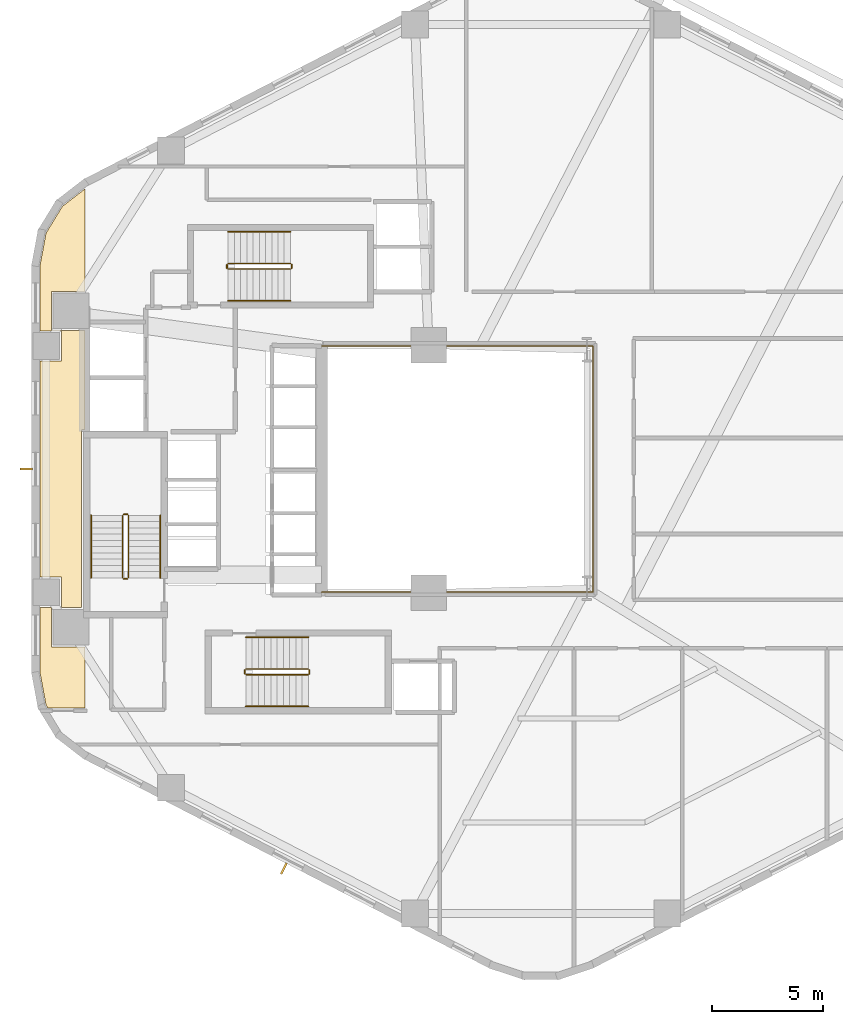
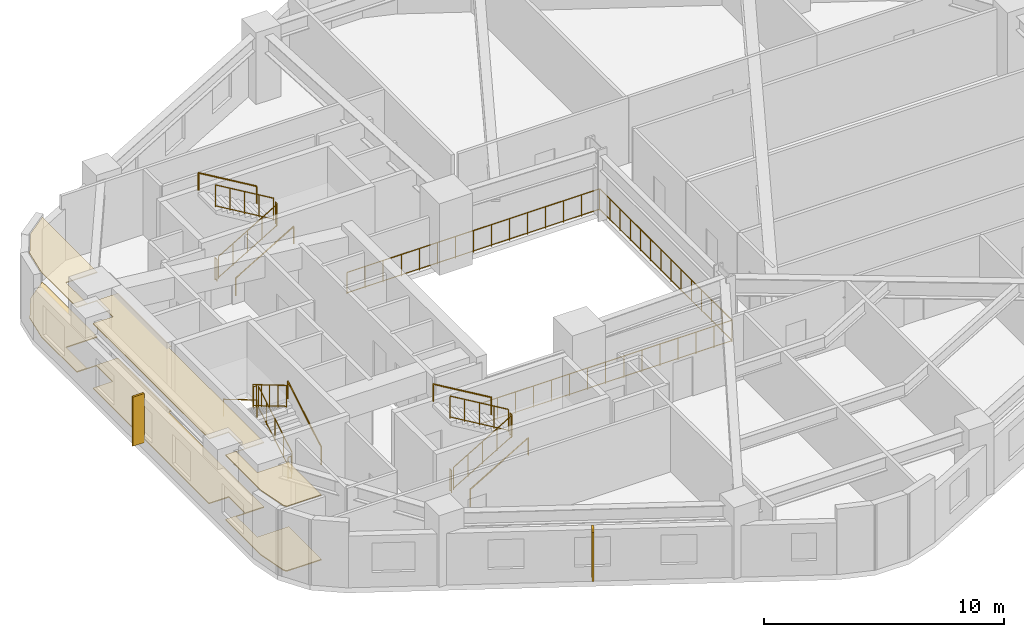
# One storey, part 6 of 6: 19 railings, 2 coverings, 2 shading devices.
"""IFC4 building model written with IfcOpenShell, lengths in metres."""

from ifc_helpers import new_model, si_unit, direction, frame, origin, origin_2d, place, context, subcontext, project, spatial, polyline, rectangle, circle, outline, extrude, material, layer, layer_set, type_object, element, save


model = new_model("IFC4")

# Units and contexts
model_context = context("Model", 3, precision=1e-05, world=origin(), true_north=direction((0.0, 1.0)))
body_context = subcontext(model_context, "Body", "Model", "MODEL_VIEW")
ifc_project = project(units=[si_unit("LENGTHUNIT", "METRE"), si_unit("AREAUNIT", "SQUARE_METRE"), si_unit("VOLUMEUNIT", "CUBIC_METRE"), si_unit("PLANEANGLEUNIT", "RADIAN"), si_unit("MASSUNIT", "GRAM", prefix="KILO"), si_unit("THERMODYNAMICTEMPERATUREUNIT", "KELVIN"), si_unit("POWERUNIT", "WATT")], contexts=[model_context])

# Site, building, storey
site_placement = place(None, origin())
site = spatial("IfcSite", under=ifc_project, at=site_placement, CompositionType="ELEMENT")
building_placement = place(site_placement, origin())
building = spatial("IfcBuilding", under=site, at=building_placement, Name="Skarre Station Tower", CompositionType="ELEMENT")
storey_placement = place(building_placement, frame((0.0, 0.0, 92.699951171875)))
storey = spatial("IfcBuildingStorey", under=building, at=storey_placement, Name="L24", CompositionType="ELEMENT", Elevation=92.699951171875)

# Railing
ifc_material_1 = material(Name="Bronze Anodized Steel & Laminated Glass Balustrade", Category="steel")
railing_type_1 = type_object("IfcRailingType", Name="Atrium Void & Mezzanine Guard Balustrade 1120", PredefinedType="GUARDRAIL", material=ifc_material_1)
railing_1_placement = place(storey_placement, frame((27.550048828125, 18.47998046875, 0.0)))
element("IfcRailing", 1, at=railing_1_placement, inside=storey, type_object=railing_type_1, Name="L24 Atrium Void Guard Balustrade", PredefinedType="GUARDRAIL", context=body_context, shape_type="SweptSolid", body=[
    extrude(circle(Radius=0.02392578125, at=origin_2d()), frame((0.0, 0.0, 1.09619140625), z_axis=(1.0, 0.0, 0.0), x_axis=(0.0, 1.0, 0.0)), (0.0, 0.0, 1.0), 12.169921875),
    extrude(circle(Radius=0.02099609375, at=origin_2d()), frame((0.0, 0.0, 0.06005859375), z_axis=(1.0, 0.0, 0.0), x_axis=(0.0, 1.0, 0.0)), (0.0, 0.0, 1.0), 12.169921875),
    extrude(circle(Radius=0.02392578125, at=origin_2d()), frame((12.169921875, 0.0, 1.09619140625), z_axis=(0.0, 1.0, 0.0), x_axis=(-1.0, 0.0, 0.0)), (0.0, 0.0, 1.0), 11.0400390625),
    extrude(circle(Radius=0.02099609375, at=origin_2d()), frame((12.169921875, 0.0, 0.06005859375), z_axis=(0.0, 1.0, 0.0), x_axis=(-1.0, 0.0, 0.0)), (0.0, 0.0, 1.0), 11.0400390625),
    extrude(circle(Radius=0.02392578125, at=origin_2d()), frame((12.169921875, 11.0400390625, 1.09619140625), z_axis=(-1.0, 0.0, 0.0), x_axis=(0.0, -1.0, 0.0)), (0.0, 0.0, 1.0), 12.169921875),
    extrude(circle(Radius=0.02099609375, at=origin_2d()), frame((12.169921875, 11.0400390625, 0.06005859375), z_axis=(-1.0, 0.0, 0.0), x_axis=(0.0, -1.0, 0.0)), (0.0, 0.0, 1.0), 12.169921875),
    extrude(circle(Radius=0.02099609375, at=origin_2d()), origin(), (0.0, 0.0, 1.0), 1.072021484375),
    extrude(circle(Radius=0.02099609375, at=origin_2d()), frame((0.869384765625, 0.0, 0.0)), (0.0, 0.0, 1.0), 1.072021484375),
    extrude(circle(Radius=0.02099609375, at=origin_2d()), frame((1.738525390625, 0.0, 0.0)), (0.0, 0.0, 1.0), 1.072021484375),
    extrude(circle(Radius=0.02099609375, at=origin_2d()), frame((2.60791015625, 0.0, 0.0)), (0.0, 0.0, 1.0), 1.072021484375),
    extrude(circle(Radius=0.02099609375, at=origin_2d()), frame((3.47705078125, 0.0, 0.0)), (0.0, 0.0, 1.0), 1.072021484375),
    extrude(circle(Radius=0.02099609375, at=origin_2d()), frame((4.346435546875, 0.0, 0.0)), (0.0, 0.0, 1.0), 1.072021484375),
    extrude(circle(Radius=0.02099609375, at=origin_2d()), frame((5.215576171875, 0.0, 0.0)), (0.0, 0.0, 1.0), 1.072021484375),
    extrude(circle(Radius=0.02099609375, at=origin_2d()), frame((6.0849609375, 0.0, 0.0)), (0.0, 0.0, 1.0), 1.072021484375),
    extrude(circle(Radius=0.02099609375, at=origin_2d()), frame((6.954345703125, 0.0, 0.0)), (0.0, 0.0, 1.0), 1.072021484375),
    extrude(circle(Radius=0.02099609375, at=origin_2d()), frame((7.823486328125, 0.0, 0.0)), (0.0, 0.0, 1.0), 1.072021484375),
    extrude(circle(Radius=0.02099609375, at=origin_2d()), frame((8.69287109375, 0.0, 0.0)), (0.0, 0.0, 1.0), 1.072021484375),
    extrude(circle(Radius=0.02099609375, at=origin_2d()), frame((9.56201171875, 0.0, 0.0)), (0.0, 0.0, 1.0), 1.072021484375),
    extrude(circle(Radius=0.02099609375, at=origin_2d()), frame((10.431396484375, 0.0, 0.0)), (0.0, 0.0, 1.0), 1.072021484375),
    extrude(circle(Radius=0.02099609375, at=origin_2d()), frame((11.300537109375, 0.0, 0.0)), (0.0, 0.0, 1.0), 1.072021484375),
    extrude(circle(Radius=0.02099609375, at=origin_2d()), frame((12.169921875, 0.0, 0.0)), (0.0, 0.0, 1.0), 1.072021484375),
    extrude(circle(Radius=0.02099609375, at=origin_2d()), frame((12.169921875, 0.84912109375, 0.0)), (0.0, 0.0, 1.0), 1.072021484375),
    extrude(circle(Radius=0.02099609375, at=origin_2d()), frame((12.169921875, 1.698486328125, 0.0)), (0.0, 0.0, 1.0), 1.072021484375),
    extrude(circle(Radius=0.02099609375, at=origin_2d()), frame((12.169921875, 2.547607421875, 0.0)), (0.0, 0.0, 1.0), 1.072021484375),
    extrude(circle(Radius=0.02099609375, at=origin_2d()), frame((12.169921875, 3.39697265625, 0.0)), (0.0, 0.0, 1.0), 1.072021484375),
    extrude(circle(Radius=0.02099609375, at=origin_2d()), frame((12.169921875, 4.24609375, 0.0)), (0.0, 0.0, 1.0), 1.072021484375),
    extrude(circle(Radius=0.02099609375, at=origin_2d()), frame((12.169921875, 5.095458984375, 0.0)), (0.0, 0.0, 1.0), 1.072021484375),
    extrude(circle(Radius=0.02099609375, at=origin_2d()), frame((12.169921875, 5.944580078125, 0.0)), (0.0, 0.0, 1.0), 1.072021484375),
    extrude(circle(Radius=0.02099609375, at=origin_2d()), frame((12.169921875, 6.7939453125, 0.0)), (0.0, 0.0, 1.0), 1.072021484375),
    extrude(circle(Radius=0.02099609375, at=origin_2d()), frame((12.169921875, 7.64306640625, 0.0)), (0.0, 0.0, 1.0), 1.072021484375),
    extrude(circle(Radius=0.02099609375, at=origin_2d()), frame((12.169921875, 8.492431640625, 0.0)), (0.0, 0.0, 1.0), 1.072021484375),
    extrude(circle(Radius=0.02099609375, at=origin_2d()), frame((12.169921875, 9.341552734375, 0.0)), (0.0, 0.0, 1.0), 1.072021484375),
    extrude(circle(Radius=0.02099609375, at=origin_2d()), frame((12.169921875, 10.19091796875, 0.0)), (0.0, 0.0, 1.0), 1.072021484375),
    extrude(circle(Radius=0.02099609375, at=origin_2d()), frame((12.169921875, 11.0400390625, 0.0)), (0.0, 0.0, 1.0), 1.072021484375),
    extrude(circle(Radius=0.02099609375, at=origin_2d()), frame((11.300537109375, 11.0400390625, 0.0)), (0.0, 0.0, 1.0), 1.072021484375),
    extrude(circle(Radius=0.02099609375, at=origin_2d()), frame((10.431396484375, 11.0400390625, 0.0)), (0.0, 0.0, 1.0), 1.072021484375),
    extrude(circle(Radius=0.02099609375, at=origin_2d()), frame((9.56201171875, 11.0400390625, 0.0)), (0.0, 0.0, 1.0), 1.072021484375),
    extrude(circle(Radius=0.02099609375, at=origin_2d()), frame((8.69287109375, 11.0400390625, 0.0)), (0.0, 0.0, 1.0), 1.072021484375),
    extrude(circle(Radius=0.02099609375, at=origin_2d()), frame((7.823486328125, 11.0400390625, 0.0)), (0.0, 0.0, 1.0), 1.072021484375),
    extrude(circle(Radius=0.02099609375, at=origin_2d()), frame((6.954345703125, 11.0400390625, 0.0)), (0.0, 0.0, 1.0), 1.072021484375),
    extrude(circle(Radius=0.02099609375, at=origin_2d()), frame((6.0849609375, 11.0400390625, 0.0)), (0.0, 0.0, 1.0), 1.072021484375),
    extrude(circle(Radius=0.02099609375, at=origin_2d()), frame((5.215576171875, 11.0400390625, 0.0)), (0.0, 0.0, 1.0), 1.072021484375),
    extrude(circle(Radius=0.02099609375, at=origin_2d()), frame((4.346435546875, 11.0400390625, 0.0)), (0.0, 0.0, 1.0), 1.072021484375),
    extrude(circle(Radius=0.02099609375, at=origin_2d()), frame((3.47705078125, 11.0400390625, 0.0)), (0.0, 0.0, 1.0), 1.072021484375),
    extrude(circle(Radius=0.02099609375, at=origin_2d()), frame((2.60791015625, 11.0400390625, 0.0)), (0.0, 0.0, 1.0), 1.072021484375),
    extrude(circle(Radius=0.02099609375, at=origin_2d()), frame((1.738525390625, 11.0400390625, 0.0)), (0.0, 0.0, 1.0), 1.072021484375),
    extrude(circle(Radius=0.02099609375, at=origin_2d()), frame((0.869384765625, 11.0400390625, 0.0)), (0.0, 0.0, 1.0), 1.072021484375),
    extrude(circle(Radius=0.02099609375, at=origin_2d()), frame((0.0, 11.0400390625, 0.0)), (0.0, 0.0, 1.0), 1.072021484375),
])

# Coverings
ifc_material_2 = material(Name="Honed Jura Limestone & Calcium-Sulfate Access Tile", Category="masonry")
ifc_layer_1 = layer(ifc_material_2, 0.050048828125, Name="Honed Jura Limestone & Calcium-Sulfate Access Tile")
ifc_layer_set_1 = layer_set([ifc_layer_1], Name="Honed Jura Limestone & Calcium-Sulfate Access Tile")
covering_type_1 = type_object("IfcCoveringType", Name="Honed Limestone & Raised Access Floor Finish 50", PredefinedType="FLOORING", material=ifc_layer_set_1)
covering_1_placement = place(storey_placement, origin())
element("IfcCovering", 2, at=covering_1_placement, inside=storey, type_object=covering_type_1, Name="L24 Limestone Access Flooring 1", PredefinedType="FLOORING", context=body_context, shape_type="SweptSolid", body=[
    extrude(outline(polyline([(16.93994140625, 36.583984375), (15.910888671875, 35.787109375), (15.178955078125, 34.5859375), (14.9169921875, 33.1669921875), (14.9169921875, 30.200927734375), (15.866943359375, 30.200927734375), (15.866943359375, 28.841064453125), (14.9169921875, 28.841064453125), (14.9169921875, 19.158935546875), (15.866943359375, 19.158935546875), (15.866943359375, 17.799072265625), (14.9169921875, 17.799072265625), (14.9169921875, 14.8330078125), (15.178955078125, 13.4140625), (15.260986328125, 13.280029296875), (16.93994140625, 13.280029296875), (16.93994140625, 16.02001953125), (15.419921875, 16.02001953125), (15.419921875, 17.780029296875), (16.77001953125, 17.780029296875), (16.77001953125, 25.699951171875), (16.77001953125, 25.7080078125), (16.77197265625, 25.716064453125), (16.77294921875, 25.722900390625), (16.77587890625, 25.73095703125), (16.779052734375, 25.738037109375), (16.782958984375, 25.743896484375), (16.7880859375, 25.7509765625), (16.79296875, 25.757080078125), (16.799072265625, 25.761962890625), (16.805908203125, 25.76708984375), (16.81201171875, 25.77099609375), (16.819091796875, 25.77392578125), (16.826904296875, 25.777099609375), (16.833984375, 25.778076171875), (16.842041015625, 25.780029296875), (16.85009765625, 25.780029296875), (16.919921875, 25.780029296875), (16.919921875, 30.219970703125), (15.419921875, 30.219970703125), (15.419921875, 31.97998046875), (16.93994140625, 31.97998046875), (16.93994140625, 36.583984375)])), origin(), (0.0, 0.0, 1.0), 0.050048828125),
])
ifc_material_3 = material(Name="Perforated Nordic Birch Veneer & Mineral Wool", Category="wood")
ifc_layer_2 = layer(ifc_material_3, 0.044921875, Name="Perforated Nordic Birch Veneer & Mineral Wool")
ifc_layer_set_2 = layer_set([ifc_layer_2], Name="Perforated Nordic Birch Veneer & Mineral Wool")
covering_type_2 = type_object("IfcCoveringType", Name="Nordic Birch Slatted Acoustic Suspended Ceiling 45", PredefinedType="CEILING", material=ifc_layer_set_2)
covering_2_placement = place(storey_placement, frame((0.0, 0.0, 3.295166015625)))
element("IfcCovering", 3, at=covering_2_placement, inside=storey, type_object=covering_type_2, Name="L24 Acoustic Birch Ceiling 1", PredefinedType="CEILING", context=body_context, shape_type="SweptSolid", body=[
    extrude(outline(polyline([(16.93994140625, 36.583984375), (15.910888671875, 35.787109375), (15.178955078125, 34.5859375), (14.9169921875, 33.1669921875), (14.9169921875, 30.200927734375), (15.866943359375, 30.200927734375), (15.866943359375, 28.841064453125), (14.9169921875, 28.841064453125), (14.9169921875, 19.158935546875), (15.866943359375, 19.158935546875), (15.866943359375, 17.799072265625), (14.9169921875, 17.799072265625), (14.9169921875, 14.8330078125), (15.178955078125, 13.4140625), (15.260986328125, 13.280029296875), (16.93994140625, 13.280029296875), (16.93994140625, 16.02001953125), (15.419921875, 16.02001953125), (15.419921875, 17.780029296875), (16.77001953125, 17.780029296875), (16.77001953125, 25.699951171875), (16.77001953125, 25.7080078125), (16.77197265625, 25.716064453125), (16.77294921875, 25.722900390625), (16.77587890625, 25.73095703125), (16.779052734375, 25.738037109375), (16.782958984375, 25.743896484375), (16.7880859375, 25.7509765625), (16.79296875, 25.757080078125), (16.799072265625, 25.761962890625), (16.805908203125, 25.76708984375), (16.81201171875, 25.77099609375), (16.819091796875, 25.77392578125), (16.826904296875, 25.777099609375), (16.833984375, 25.778076171875), (16.842041015625, 25.780029296875), (16.85009765625, 25.780029296875), (16.919921875, 25.780029296875), (16.919921875, 30.219970703125), (15.419921875, 30.219970703125), (15.419921875, 31.97998046875), (16.93994140625, 31.97998046875), (16.93994140625, 36.583984375)])), origin(), (0.0, 0.0, 1.0), 0.044921875),
])

# Shading devices
ifc_material_4 = material(Name="Bronze Anodized Extruded Aluminium 6063-T6", Category="aluminium")
shading_device_type = type_object("IfcShadingDeviceType", Name="Nordic Bronze Vertical Solar Fin 550x90", PredefinedType="SHUTTER", material=ifc_material_4)
for number, where, z_axis, x_axis, name in (
    (4, (14.287109375, 24.0, 0.35009765625), (0.0, 0.0, 1.0), (-1.0, 0.0, 0.0), "L24 Facet 2 Bronze Solar Fin"),
    (5, (25.85400390625, 6.077880859375, 0.35009765625), (0.0, 0.0, 1.0), (-0.458618535612, -0.888633242003, 0.0), "L24 Facet 3 Bronze Solar Fin"),
):
    element("IfcShadingDevice", number, at=place(storey_placement, frame(where, z_axis=z_axis, x_axis=x_axis)), inside=storey, type_object=shading_device_type, Name=name, PredefinedType="SHUTTER", context=body_context, shape_type="SweptSolid", body=[
        extrude(rectangle(XDim=0.550048828125, YDim=0.090087890625, at=origin_2d()), origin(), (0.0, 0.0, 1.0), 2.5),
    ])

# Railings
ifc_material_5 = material(Name="Powder-Coated Tubular Steel", Category="steel")
railing_type_2 = type_object("IfcRailingType", Name="Painted Steel Ramp & Stair Handrail 920", PredefinedType="HANDRAIL", material=ifc_material_5)
railing_2_placement = place(storey_placement, frame((20.300048828125, 19.1201171875, 0.166015625)))
element("IfcRailing", 6, at=railing_2_placement, inside=storey, type_object=railing_type_2, Name="L24 ST-1 stair handrail 1", PredefinedType="HANDRAIL", context=body_context, shape_type="SweptSolid", body=[
    extrude(circle(Radius=0.02392578125, at=origin_2d()), frame((0.0, 0.0, 0.8759765625), z_axis=(0.0, 0.860319559791, 0.509755093197), x_axis=(-1.0, 0.0, 0.0)), (0.0, 0.0, 1.0), 3.25439453125),
    extrude(circle(Radius=0.02099609375, at=origin_2d()), origin(), (0.0, 0.0, 1.0), 0.851806640625),
    extrude(circle(Radius=0.02099609375, at=origin_2d()), frame((0.0, 2.7998046875, 1.658935546875)), (0.0, 0.0, 1.0), 0.851806640625),
])
railing_3_placement = place(storey_placement, frame((17.199951171875, 21.919921875, 1.990966796875)))
element("IfcRailing", 7, at=railing_3_placement, inside=storey, type_object=railing_type_2, Name="L24 ST-1 stair handrail 2", PredefinedType="HANDRAIL", context=body_context, shape_type="SweptSolid", body=[
    extrude(circle(Radius=0.02392578125, at=origin_2d()), frame((0.0, 0.0, 0.8759765625), z_axis=(0.0, -0.860286659441, 0.509810615413), x_axis=(1.0, 0.0, 0.0)), (0.0, 0.0, 1.0), 3.25439453125),
    extrude(circle(Radius=0.02099609375, at=origin_2d()), origin(), (0.0, 0.0, 1.0), 0.851806640625),
    extrude(circle(Radius=0.02099609375, at=origin_2d()), frame((0.0, -2.7998046875, 1.6591796875)), (0.0, 0.0, 1.0), 0.851806640625),
])
railing_4_placement = place(storey_placement, frame((24.14990234375, 13.35009765625, 0.166015625)))
element("IfcRailing", 8, at=railing_4_placement, inside=storey, type_object=railing_type_2, Name="L24 ST-2 stair handrail 1", PredefinedType="HANDRAIL", context=body_context, shape_type="SweptSolid", body=[
    extrude(circle(Radius=0.02392578125, at=origin_2d()), frame((0.0, 0.0, 0.8759765625), z_axis=(0.860339051648, 0.0, 0.50972219513), x_axis=(0.0, 1.0, 0.0)), (0.0, 0.0, 1.0), 3.254638671875),
    extrude(circle(Radius=0.02099609375, at=origin_2d()), origin(), (0.0, 0.0, 1.0), 0.851806640625),
    extrude(circle(Radius=0.02099609375, at=origin_2d()), frame((2.800048828125, 0.0, 1.658935546875)), (0.0, 0.0, 1.0), 0.851806640625),
])
railing_5_placement = place(storey_placement, frame((26.949951171875, 16.449951171875, 1.990966796875)))
element("IfcRailing", 9, at=railing_5_placement, inside=storey, type_object=railing_type_2, Name="L24 ST-2 stair handrail 2", PredefinedType="HANDRAIL", context=body_context, shape_type="SweptSolid", body=[
    extrude(circle(Radius=0.02392578125, at=origin_2d()), frame((0.0, 0.0, 0.8759765625), z_axis=(-0.860306154799, 0.0, 0.50977771628), x_axis=(0.0, -1.0, 0.0)), (0.0, 0.0, 1.0), 3.254638671875),
    extrude(circle(Radius=0.02099609375, at=origin_2d()), origin(), (0.0, 0.0, 1.0), 0.851806640625),
    extrude(circle(Radius=0.02099609375, at=origin_2d()), frame((-2.800048828125, 0.0, 1.6591796875)), (0.0, 0.0, 1.0), 0.851806640625),
])
railing_6_placement = place(storey_placement, frame((23.35009765625, 31.550048828125, 0.166015625)))
element("IfcRailing", 10, at=railing_6_placement, inside=storey, type_object=railing_type_2, Name="L24 ST-3 stair handrail 1", PredefinedType="HANDRAIL", context=body_context, shape_type="SweptSolid", body=[
    extrude(circle(Radius=0.02392578125, at=origin_2d()), frame((0.0, 0.0, 0.8759765625), z_axis=(0.860319559791, 0.0, 0.509755093197), x_axis=(0.0, 1.0, 0.0)), (0.0, 0.0, 1.0), 3.25439453125),
    extrude(circle(Radius=0.02099609375, at=origin_2d()), origin(), (0.0, 0.0, 1.0), 0.851806640625),
    extrude(circle(Radius=0.02099609375, at=origin_2d()), frame((2.7998046875, 0.0, 1.658935546875)), (0.0, 0.0, 1.0), 0.851806640625),
])
railing_7_placement = place(storey_placement, frame((26.14990234375, 34.64990234375, 1.990966796875)))
element("IfcRailing", 11, at=railing_7_placement, inside=storey, type_object=railing_type_2, Name="L24 ST-3 stair handrail 2", PredefinedType="HANDRAIL", context=body_context, shape_type="SweptSolid", body=[
    extrude(circle(Radius=0.02392578125, at=origin_2d()), frame((0.0, 0.0, 0.8759765625), z_axis=(-0.860286659441, 0.0, 0.509810615413), x_axis=(0.0, -1.0, 0.0)), (0.0, 0.0, 1.0), 3.25439453125),
    extrude(circle(Radius=0.02099609375, at=origin_2d()), origin(), (0.0, 0.0, 1.0), 0.851806640625),
    extrude(circle(Radius=0.02099609375, at=origin_2d()), frame((-2.7998046875, 0.0, 1.6591796875)), (0.0, 0.0, 1.0), 0.851806640625),
])
railing_type_3 = type_object("IfcRailingType", Name="Painted Steel Stairwell Guardrail 1100", PredefinedType="GUARDRAIL", material=ifc_material_5)
railing_8_placement = place(storey_placement, frame((18.8798828125, 19.1201171875, 0.166015625)))
element("IfcRailing", 12, at=railing_8_placement, inside=storey, type_object=railing_type_3, Name="L24 ST-1 stair guard 1", PredefinedType="GUARDRAIL", context=body_context, shape_type="SweptSolid", body=[
    extrude(circle(Radius=0.02392578125, at=origin_2d()), frame((0.0, 0.0, 1.1259765625), z_axis=(0.0, 0.860319559791, 0.509755093197), x_axis=(-1.0, 0.0, 0.0)), (0.0, 0.0, 1.0), 3.25439453125),
    extrude(circle(Radius=0.02099609375, at=origin_2d()), frame((0.0, 0.0, 0.06005859375), z_axis=(0.0, 0.860319559791, 0.509755093197), x_axis=(-1.0, 0.0, 0.0)), (0.0, 0.0, 1.0), 3.25439453125),
    extrude(circle(Radius=0.02099609375, at=origin_2d()), origin(), (0.0, 0.0, 1.0), 1.101806640625),
    extrude(circle(Radius=0.02099609375, at=origin_2d()), frame((0.0, 0.699951171875, 0.414794921875)), (0.0, 0.0, 1.0), 1.101806640625),
    extrude(circle(Radius=0.02099609375, at=origin_2d()), frame((0.0, 1.39990234375, 0.82958984375)), (0.0, 0.0, 1.0), 1.101806640625),
    extrude(circle(Radius=0.02099609375, at=origin_2d()), frame((0.0, 2.099853515625, 1.244140625)), (0.0, 0.0, 1.0), 1.101806640625),
    extrude(circle(Radius=0.02099609375, at=origin_2d()), frame((0.0, 2.7998046875, 1.658935546875)), (0.0, 0.0, 1.0), 1.101806640625),
])
railing_9_placement = place(storey_placement, frame((18.830078125, 21.969970703125, 1.824951171875)))
element("IfcRailing", 13, at=railing_9_placement, inside=storey, type_object=railing_type_3, Name="L24 ST-1 stair guard 2", PredefinedType="GUARDRAIL", context=body_context, shape_type="SweptSolid", body=[
    extrude(circle(Radius=0.02392578125, at=origin_2d()), frame((0.0, 0.0, 1.1259765625), z_axis=(-1.0, 0.0, 0.0), x_axis=(0.0, -1.0, 0.0)), (0.0, 0.0, 1.0), 0.16015625),
    extrude(circle(Radius=0.02099609375, at=origin_2d()), frame((0.0, 0.0, 0.06005859375), z_axis=(-1.0, 0.0, 0.0), x_axis=(0.0, -1.0, 0.0)), (0.0, 0.0, 1.0), 0.16015625),
    extrude(circle(Radius=0.02099609375, at=origin_2d()), origin(), (0.0, 0.0, 1.0), 1.101806640625),
    extrude(circle(Radius=0.02099609375, at=origin_2d()), frame((-0.16015625, 0.0, 0.0)), (0.0, 0.0, 1.0), 1.101806640625),
])
railing_10_placement = place(storey_placement, frame((18.6201171875, 21.919921875, 1.990966796875)))
element("IfcRailing", 14, at=railing_10_placement, inside=storey, type_object=railing_type_3, Name="L24 ST-1 stair guard 3", PredefinedType="GUARDRAIL", context=body_context, shape_type="SweptSolid", body=[
    extrude(circle(Radius=0.02392578125, at=origin_2d()), frame((0.0, 0.0, 1.1259765625), z_axis=(0.0, -0.860286659441, 0.509810615413), x_axis=(1.0, 0.0, 0.0)), (0.0, 0.0, 1.0), 3.25439453125),
    extrude(circle(Radius=0.02099609375, at=origin_2d()), frame((0.0, 0.0, 0.06005859375), z_axis=(0.0, -0.860286659441, 0.509810615413), x_axis=(1.0, 0.0, 0.0)), (0.0, 0.0, 1.0), 3.25439453125),
    extrude(circle(Radius=0.02099609375, at=origin_2d()), origin(), (0.0, 0.0, 1.0), 1.101806640625),
    extrude(circle(Radius=0.02099609375, at=origin_2d()), frame((0.0, -0.699951171875, 0.414794921875)), (0.0, 0.0, 1.0), 1.101806640625),
    extrude(circle(Radius=0.02099609375, at=origin_2d()), frame((0.0, -1.39990234375, 0.82958984375)), (0.0, 0.0, 1.0), 1.101806640625),
    extrude(circle(Radius=0.02099609375, at=origin_2d()), frame((0.0, -2.099853515625, 1.244384765625)), (0.0, 0.0, 1.0), 1.101806640625),
    extrude(circle(Radius=0.02099609375, at=origin_2d()), frame((0.0, -2.7998046875, 1.6591796875)), (0.0, 0.0, 1.0), 1.101806640625),
])
railing_11_placement = place(storey_placement, frame((18.830078125, 19.070068359375, 0.0)))
element("IfcRailing", 15, at=railing_11_placement, inside=storey, type_object=railing_type_3, Name="L24 ST-1 stair guard 4", PredefinedType="GUARDRAIL", context=body_context, shape_type="SweptSolid", body=[
    extrude(circle(Radius=0.02392578125, at=origin_2d()), frame((0.0, 0.0, 1.1259765625), z_axis=(-1.0, 0.0, 0.0), x_axis=(0.0, -1.0, 0.0)), (0.0, 0.0, 1.0), 0.16015625),
    extrude(circle(Radius=0.02099609375, at=origin_2d()), frame((0.0, 0.0, 0.06005859375), z_axis=(-1.0, 0.0, 0.0), x_axis=(0.0, -1.0, 0.0)), (0.0, 0.0, 1.0), 0.16015625),
    extrude(circle(Radius=0.02099609375, at=origin_2d()), origin(), (0.0, 0.0, 1.0), 1.101806640625),
    extrude(circle(Radius=0.02099609375, at=origin_2d()), frame((-0.16015625, 0.0, 0.0)), (0.0, 0.0, 1.0), 1.101806640625),
])
railing_12_placement = place(storey_placement, frame((24.14990234375, 14.77001953125, 0.166015625)))
element("IfcRailing", 16, at=railing_12_placement, inside=storey, type_object=railing_type_3, Name="L24 ST-2 stair guard 1", PredefinedType="GUARDRAIL", context=body_context, shape_type="SweptSolid", body=[
    extrude(circle(Radius=0.02392578125, at=origin_2d()), frame((0.0, 0.0, 1.1259765625), z_axis=(0.860339051648, 0.0, 0.50972219513), x_axis=(0.0, 1.0, 0.0)), (0.0, 0.0, 1.0), 3.254638671875),
    extrude(circle(Radius=0.02099609375, at=origin_2d()), frame((0.0, 0.0, 0.06005859375), z_axis=(0.860339051648, 0.0, 0.50972219513), x_axis=(0.0, 1.0, 0.0)), (0.0, 0.0, 1.0), 3.254638671875),
    extrude(circle(Radius=0.02099609375, at=origin_2d()), origin(), (0.0, 0.0, 1.0), 1.101806640625),
    extrude(circle(Radius=0.02099609375, at=origin_2d()), frame((0.699951171875, 0.0, 0.414794921875)), (0.0, 0.0, 1.0), 1.101806640625),
    extrude(circle(Radius=0.02099609375, at=origin_2d()), frame((1.39990234375, 0.0, 0.82958984375)), (0.0, 0.0, 1.0), 1.101806640625),
    extrude(circle(Radius=0.02099609375, at=origin_2d()), frame((2.10009765625, 0.0, 1.244140625)), (0.0, 0.0, 1.0), 1.101806640625),
    extrude(circle(Radius=0.02099609375, at=origin_2d()), frame((2.800048828125, 0.0, 1.658935546875)), (0.0, 0.0, 1.0), 1.101806640625),
])
railing_13_placement = place(storey_placement, frame((27.0, 14.820068359375, 1.824951171875)))
element("IfcRailing", 17, at=railing_13_placement, inside=storey, type_object=railing_type_3, Name="L24 ST-2 stair guard 2", PredefinedType="GUARDRAIL", context=body_context, shape_type="SweptSolid", body=[
    extrude(circle(Radius=0.02392578125, at=origin_2d()), frame((0.0, 0.0, 1.1259765625), z_axis=(0.0, 1.0, 0.0), x_axis=(-1.0, 0.0, 0.0)), (0.0, 0.0, 1.0), 0.159912109375),
    extrude(circle(Radius=0.02099609375, at=origin_2d()), frame((0.0, 0.0, 0.06005859375), z_axis=(0.0, 1.0, 0.0), x_axis=(-1.0, 0.0, 0.0)), (0.0, 0.0, 1.0), 0.159912109375),
    extrude(circle(Radius=0.02099609375, at=origin_2d()), origin(), (0.0, 0.0, 1.0), 1.101806640625),
    extrude(circle(Radius=0.02099609375, at=origin_2d()), frame((0.0, 0.159912109375, 0.0)), (0.0, 0.0, 1.0), 1.101806640625),
])
railing_14_placement = place(storey_placement, frame((26.949951171875, 15.030029296875, 1.990966796875)))
element("IfcRailing", 18, at=railing_14_placement, inside=storey, type_object=railing_type_3, Name="L24 ST-2 stair guard 3", PredefinedType="GUARDRAIL", context=body_context, shape_type="SweptSolid", body=[
    extrude(circle(Radius=0.02392578125, at=origin_2d()), frame((0.0, 0.0, 1.1259765625), z_axis=(-0.860306154799, 0.0, 0.50977771628), x_axis=(0.0, -1.0, 0.0)), (0.0, 0.0, 1.0), 3.254638671875),
    extrude(circle(Radius=0.02099609375, at=origin_2d()), frame((0.0, 0.0, 0.06005859375), z_axis=(-0.860306154799, 0.0, 0.50977771628), x_axis=(0.0, -1.0, 0.0)), (0.0, 0.0, 1.0), 3.254638671875),
    extrude(circle(Radius=0.02099609375, at=origin_2d()), origin(), (0.0, 0.0, 1.0), 1.101806640625),
    extrude(circle(Radius=0.02099609375, at=origin_2d()), frame((-0.699951171875, 0.0, 0.414794921875)), (0.0, 0.0, 1.0), 1.101806640625),
    extrude(circle(Radius=0.02099609375, at=origin_2d()), frame((-1.39990234375, 0.0, 0.82958984375)), (0.0, 0.0, 1.0), 1.101806640625),
    extrude(circle(Radius=0.02099609375, at=origin_2d()), frame((-2.10009765625, 0.0, 1.244384765625)), (0.0, 0.0, 1.0), 1.101806640625),
    extrude(circle(Radius=0.02099609375, at=origin_2d()), frame((-2.800048828125, 0.0, 1.6591796875)), (0.0, 0.0, 1.0), 1.101806640625),
])
railing_15_placement = place(storey_placement, frame((24.10009765625, 14.820068359375, 0.0)))
element("IfcRailing", 19, at=railing_15_placement, inside=storey, type_object=railing_type_3, Name="L24 ST-2 stair guard 4", PredefinedType="GUARDRAIL", context=body_context, shape_type="SweptSolid", body=[
    extrude(circle(Radius=0.02392578125, at=origin_2d()), frame((0.0, 0.0, 1.1259765625), z_axis=(0.0, 1.0, 0.0), x_axis=(-1.0, 0.0, 0.0)), (0.0, 0.0, 1.0), 0.159912109375),
    extrude(circle(Radius=0.02099609375, at=origin_2d()), frame((0.0, 0.0, 0.06005859375), z_axis=(0.0, 1.0, 0.0), x_axis=(-1.0, 0.0, 0.0)), (0.0, 0.0, 1.0), 0.159912109375),
    extrude(circle(Radius=0.02099609375, at=origin_2d()), origin(), (0.0, 0.0, 1.0), 1.101806640625),
    extrude(circle(Radius=0.02099609375, at=origin_2d()), frame((0.0, 0.159912109375, 0.0)), (0.0, 0.0, 1.0), 1.101806640625),
])
railing_16_placement = place(storey_placement, frame((23.35009765625, 32.969970703125, 0.166015625)))
element("IfcRailing", 20, at=railing_16_placement, inside=storey, type_object=railing_type_3, Name="L24 ST-3 stair guard 1", PredefinedType="GUARDRAIL", context=body_context, shape_type="SweptSolid", body=[
    extrude(circle(Radius=0.02392578125, at=origin_2d()), frame((0.0, 0.0, 1.1259765625), z_axis=(0.860319559791, 0.0, 0.509755093197), x_axis=(0.0, 1.0, 0.0)), (0.0, 0.0, 1.0), 3.25439453125),
    extrude(circle(Radius=0.02099609375, at=origin_2d()), frame((0.0, 0.0, 0.06005859375), z_axis=(0.860319559791, 0.0, 0.509755093197), x_axis=(0.0, 1.0, 0.0)), (0.0, 0.0, 1.0), 3.25439453125),
    extrude(circle(Radius=0.02099609375, at=origin_2d()), origin(), (0.0, 0.0, 1.0), 1.101806640625),
    extrude(circle(Radius=0.02099609375, at=origin_2d()), frame((0.699951171875, 0.0, 0.414794921875)), (0.0, 0.0, 1.0), 1.101806640625),
    extrude(circle(Radius=0.02099609375, at=origin_2d()), frame((1.39990234375, 0.0, 0.82958984375)), (0.0, 0.0, 1.0), 1.101806640625),
    extrude(circle(Radius=0.02099609375, at=origin_2d()), frame((2.099853515625, 0.0, 1.244140625)), (0.0, 0.0, 1.0), 1.101806640625),
    extrude(circle(Radius=0.02099609375, at=origin_2d()), frame((2.7998046875, 0.0, 1.658935546875)), (0.0, 0.0, 1.0), 1.101806640625),
])
railing_17_placement = place(storey_placement, frame((26.199951171875, 33.02001953125, 1.824951171875)))
element("IfcRailing", 21, at=railing_17_placement, inside=storey, type_object=railing_type_3, Name="L24 ST-3 stair guard 2", PredefinedType="GUARDRAIL", context=body_context, shape_type="SweptSolid", body=[
    extrude(circle(Radius=0.02392578125, at=origin_2d()), frame((0.0, 0.0, 1.1259765625), z_axis=(0.0, 1.0, 0.0), x_axis=(-1.0, 0.0, 0.0)), (0.0, 0.0, 1.0), 0.159912109375),
    extrude(circle(Radius=0.02099609375, at=origin_2d()), frame((0.0, 0.0, 0.06005859375), z_axis=(0.0, 1.0, 0.0), x_axis=(-1.0, 0.0, 0.0)), (0.0, 0.0, 1.0), 0.159912109375),
    extrude(circle(Radius=0.02099609375, at=origin_2d()), origin(), (0.0, 0.0, 1.0), 1.101806640625),
    extrude(circle(Radius=0.02099609375, at=origin_2d()), frame((0.0, 0.159912109375, 0.0)), (0.0, 0.0, 1.0), 1.101806640625),
])
railing_18_placement = place(storey_placement, frame((26.14990234375, 33.22998046875, 1.990966796875)))
element("IfcRailing", 22, at=railing_18_placement, inside=storey, type_object=railing_type_3, Name="L24 ST-3 stair guard 3", PredefinedType="GUARDRAIL", context=body_context, shape_type="SweptSolid", body=[
    extrude(circle(Radius=0.02392578125, at=origin_2d()), frame((0.0, 0.0, 1.1259765625), z_axis=(-0.860286659441, 0.0, 0.509810615413), x_axis=(0.0, -1.0, 0.0)), (0.0, 0.0, 1.0), 3.25439453125),
    extrude(circle(Radius=0.02099609375, at=origin_2d()), frame((0.0, 0.0, 0.06005859375), z_axis=(-0.860286659441, 0.0, 0.509810615413), x_axis=(0.0, -1.0, 0.0)), (0.0, 0.0, 1.0), 3.25439453125),
    extrude(circle(Radius=0.02099609375, at=origin_2d()), origin(), (0.0, 0.0, 1.0), 1.101806640625),
    extrude(circle(Radius=0.02099609375, at=origin_2d()), frame((-0.699951171875, 0.0, 0.414794921875)), (0.0, 0.0, 1.0), 1.101806640625),
    extrude(circle(Radius=0.02099609375, at=origin_2d()), frame((-1.39990234375, 0.0, 0.82958984375)), (0.0, 0.0, 1.0), 1.101806640625),
    extrude(circle(Radius=0.02099609375, at=origin_2d()), frame((-2.099853515625, 0.0, 1.244384765625)), (0.0, 0.0, 1.0), 1.101806640625),
    extrude(circle(Radius=0.02099609375, at=origin_2d()), frame((-2.7998046875, 0.0, 1.6591796875)), (0.0, 0.0, 1.0), 1.101806640625),
])
railing_19_placement = place(storey_placement, frame((23.300048828125, 33.02001953125, 0.0)))
element("IfcRailing", 23, at=railing_19_placement, inside=storey, type_object=railing_type_3, Name="L24 ST-3 stair guard 4", PredefinedType="GUARDRAIL", context=body_context, shape_type="SweptSolid", body=[
    extrude(circle(Radius=0.02392578125, at=origin_2d()), frame((0.0, 0.0, 1.1259765625), z_axis=(0.0, 1.0, 0.0), x_axis=(-1.0, 0.0, 0.0)), (0.0, 0.0, 1.0), 0.159912109375),
    extrude(circle(Radius=0.02099609375, at=origin_2d()), frame((0.0, 0.0, 0.06005859375), z_axis=(0.0, 1.0, 0.0), x_axis=(-1.0, 0.0, 0.0)), (0.0, 0.0, 1.0), 0.159912109375),
    extrude(circle(Radius=0.02099609375, at=origin_2d()), origin(), (0.0, 0.0, 1.0), 1.101806640625),
    extrude(circle(Radius=0.02099609375, at=origin_2d()), frame((0.0, 0.159912109375, 0.0)), (0.0, 0.0, 1.0), 1.101806640625),
])

save(model, "model.ifc")
